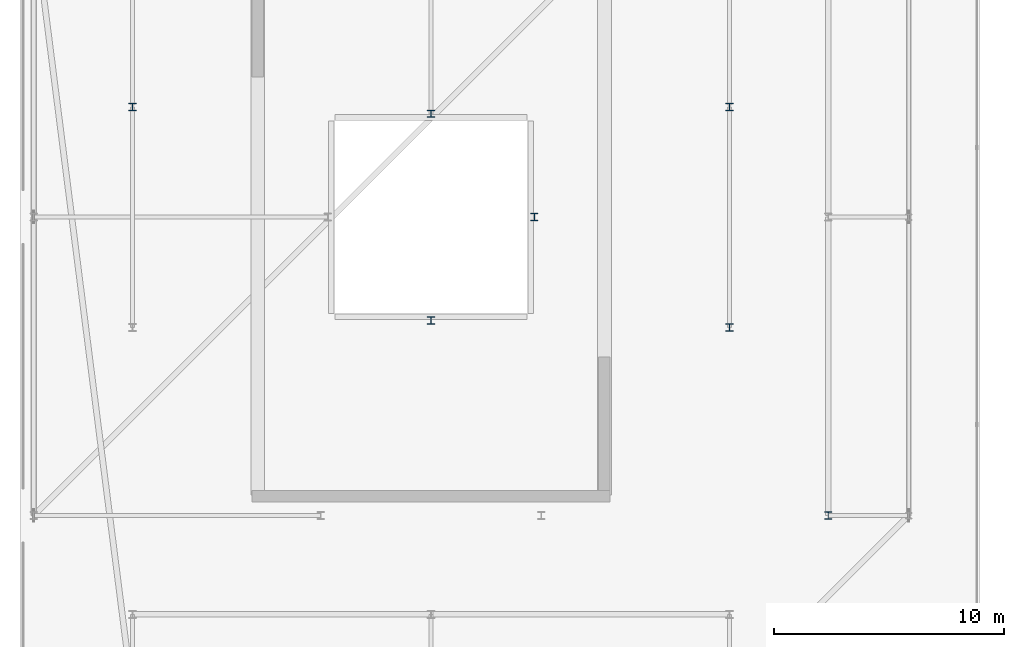
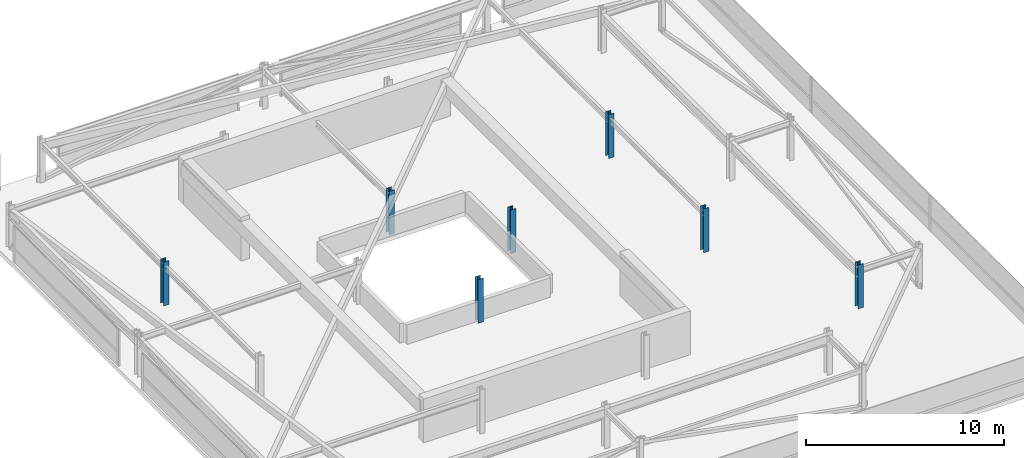
# One storey, part 2 of 44: 7 columns.
"""IFC4 building model written with IfcOpenShell, lengths in metres."""

import ifcopenshell
import ifcopenshell.guid

model = None  # the IFC model being written
_history = None  # IfcOwnerHistory: only IFC2X3 demands one
_inside = {}  # id of a spatial element -> (the spatial element, [elements in it])
_under = {}  # id of a project, library or spatial element -> (it, [spatial elements below it])
_declared = {}  # id of a project -> (the project, [libraries it declares])
_typed = {}  # id of a type object -> (the type object, [elements of that type])
_made_of = {}  # id of a material, layer set ... -> (it, [elements and type objects made of it])


def new_model(schema):
    """Start an empty IFC model of exactly this schema.

    Asked for "IFC4X3", IfcOpenShell would pick the latest addendum, in which some entities
    have other attributes; the version numbers below select the first issue.
    IFC2X3 requires an IfcOwnerHistory on every rooted entity: one is made here for all.
    """
    global model, _history
    if schema == "IFC4X3":
        model = ifcopenshell.file(schema_version=(4, 3, 0, 0))
    else:
        model = ifcopenshell.file(schema=schema)
    _inside.clear()
    _under.clear()
    _declared.clear()
    _typed.clear()
    _made_of.clear()
    _history = None
    if model.schema == "IFC2X3":
        org = make("IfcOrganization", Name="unknown")
        user = make(
            "IfcPersonAndOrganization",
            ThePerson=make("IfcPerson", FamilyName="unknown"),
            TheOrganization=org,
        )
        app = make(
            "IfcApplication",
            ApplicationDeveloper=org,
            Version="unknown",
            ApplicationFullName="unknown",
            ApplicationIdentifier="unknown",
        )
        _history = make(
            "IfcOwnerHistory",
            OwningUser=user,
            OwningApplication=app,
            ChangeAction="ADDED",
            CreationDate=0,
        )
    return model


def make(cls, **values):
    """One entity of the class cls with the attributes given. An attribute that is None is left unset."""
    return model.create_entity(
        cls, **{name: value for name, value in values.items() if value is not None}
    )


def rooted(cls, **values):
    """An entity with a GlobalId (a new one), such as an element, a storey or a relation."""
    return make(cls, GlobalId=ifcopenshell.guid.new(), OwnerHistory=_history, **values)


def si_unit(unit_type, name, prefix=None):
    """IfcSIUnit, for example si_unit("LENGTHUNIT", "METRE", prefix="MILLI")."""
    return make("IfcSIUnit", UnitType=unit_type, Prefix=prefix, Name=name)


def assignment(units):
    """IfcUnitAssignment: the units of a project."""
    return None if units is None else make("IfcUnitAssignment", Units=units)


def point(xyz):
    """IfcCartesianPoint."""
    return None if xyz is None else make("IfcCartesianPoint", Coordinates=xyz)


def direction(xyz):
    """IfcDirection."""
    return None if xyz is None else make("IfcDirection", DirectionRatios=xyz)


def frame(location, z_axis=None, x_axis=None):
    """IfcAxis2Placement3D, a coordinate frame: its origin and axes. An axis left out is left unset."""
    return make(
        "IfcAxis2Placement3D",
        Location=point(location),
        Axis=direction(z_axis),
        RefDirection=direction(x_axis),
    )


def frame_2d(location, x_axis=None):
    """IfcAxis2Placement2D, a coordinate frame in the plane: its origin and x axis."""
    return make(
        "IfcAxis2Placement2D", Location=point(location), RefDirection=direction(x_axis)
    )


def origin():
    """The frame at (0, 0, 0) with its axes left unset."""
    return frame((0.0, 0.0, 0.0))


def origin_2d():
    """The frame at (0, 0) in the plane with its x axis left unset."""
    return frame_2d((0.0, 0.0))


def place(relative_to, where):
    """IfcLocalPlacement: puts the frame where relative to a parent placement (None: the world)."""
    return make(
        "IfcLocalPlacement", PlacementRelTo=relative_to, RelativePlacement=where
    )


def context(
    kind, dimensions, precision=None, world=None, true_north=None, identifier=None
):
    """IfcGeometricRepresentationContext, for example the 3D "Model" context."""
    return make(
        "IfcGeometricRepresentationContext",
        ContextIdentifier=identifier,
        ContextType=kind,
        CoordinateSpaceDimension=dimensions,
        Precision=precision,
        WorldCoordinateSystem=world,
        TrueNorth=true_north,
    )


def subcontext(parent, identifier, kind, view, scale=None):
    """IfcGeometricRepresentationSubContext, for example "Body" below "Model"."""
    return make(
        "IfcGeometricRepresentationSubContext",
        ContextIdentifier=identifier,
        ContextType=kind,
        ParentContext=parent,
        TargetScale=scale,
        TargetView=view,
    )


def project(units=None, contexts=None):
    """IfcProject with its units and contexts."""
    return rooted(
        "IfcProject",
        Name="project",
        RepresentationContexts=contexts,
        UnitsInContext=assignment(units),
    )


def spatial(cls, under=None, at=None, **own):
    """A site, building, storey or space (cls), placed at a placement, below another one or the project."""
    s = rooted(cls, ObjectPlacement=at, **own)
    if under is not None:
        _under.setdefault(under.id(), (under, []))[1].append(s)
    return s


def profile(cls, at=None, kind="AREA", **sizes):
    """A parametric profile (cls). Its sizes go by their IFC names, for example OverallWidth=200.0."""
    return make(cls, ProfileType=kind, Position=at, **sizes)


def i_section(**sizes):
    """IfcIShapeProfileDef."""
    return profile("IfcIShapeProfileDef", **sizes)


def extrude(swept, where, along, depth):
    """IfcExtrudedAreaSolid: the profile swept, set in the frame where, extruded along a direction by depth."""
    return make(
        "IfcExtrudedAreaSolid",
        SweptArea=swept,
        Position=where,
        ExtrudedDirection=direction(along),
        Depth=depth,
    )


def shape(context_of_items, identifier, shape_type, items):
    """IfcShapeRepresentation: the items that make up one representation, for example the "Body"."""
    return make(
        "IfcShapeRepresentation",
        ContextOfItems=context_of_items,
        RepresentationIdentifier=identifier,
        RepresentationType=shape_type,
        Items=items,
    )


def material(Name=None, Category=None):
    """IfcMaterial."""
    return make("IfcMaterial", Name=Name, Category=Category)


def material_profile(
    of_material, cross_section, Name=None, Category=None, Priority=None
):
    """IfcMaterialProfile: a cross section and its material."""
    return make(
        "IfcMaterialProfile",
        Name=Name,
        Material=of_material,
        Profile=cross_section,
        Priority=Priority,
        Category=Category,
    )


def profile_set(profiles, Name=None, composite=None):
    """IfcMaterialProfileSet."""
    return make(
        "IfcMaterialProfileSet",
        Name=Name,
        MaterialProfiles=profiles,
        CompositeProfile=composite,
    )


def made_of(thing, what):
    """Note that an element or type object is made of a material, layer set ...; save() writes the relation."""
    if what is not None:
        _made_of.setdefault(what.id(), (what, []))[1].append(thing)
    return thing


def type_object(cls, material=None, **own):
    """A type object (cls), such as IfcWallType, which elements share."""
    return made_of(rooted(cls, **own), material)


def element(
    cls,
    number,
    at=None,
    inside=None,
    cuts=None,
    type_object=None,
    material=None,
    context=None,
    identifier="Body",
    shape_type=None,
    held_by="IfcProductDefinitionShape",
    body=None,
    shapes=None,
    **own,
):
    """One element of the class cls, such as IfcWall. Its Tag is "e" and its number.

    at: its placement. inside: the storey or other place that contains it. cuts: it is an
    opening in that element (IfcRelVoidsElement). A single representation is given by context,
    identifier, shape_type and body (its items); several are given by shapes. held_by: the class
    of the entity that holds the representations. save() writes the other relations.
    """
    e = rooted(cls, Tag="e%d" % number, ObjectPlacement=at, **own)
    if body is not None:
        shapes = [shape(context, identifier, shape_type, body)]
    if shapes is not None:
        e.Representation = make(held_by, Representations=shapes)
    if inside is not None:
        _inside.setdefault(inside.id(), (inside, []))[1].append(e)
    if cuts is not None:
        rooted(
            "IfcRelVoidsElement", RelatingBuildingElement=cuts, RelatedOpeningElement=e
        )
    if type_object is not None:
        _typed.setdefault(type_object.id(), (type_object, []))[1].append(e)
    return made_of(e, material)


def aggregate(whole, parts):
    """IfcRelAggregates: a whole, such as a stair, and the parts it consists of."""
    return rooted("IfcRelAggregates", RelatingObject=whole, RelatedObjects=parts)


def save(model, path):
    """Write the relations noted so far, then the file.

    IfcRelAggregates (storeys below a building ...), IfcRelContainedInSpatialStructure (elements
    in a storey), IfcRelDefinesByType, IfcRelAssociatesMaterial and IfcRelDeclares: one each for
    every whole, place, type object, material and project.
    """
    for whole, parts in _under.values():
        aggregate(whole, parts)
    for where, things in _inside.values():
        rooted(
            "IfcRelContainedInSpatialStructure",
            RelatedElements=things,
            RelatingStructure=where,
        )
    for kind, things in _typed.values():
        rooted("IfcRelDefinesByType", RelatedObjects=things, RelatingType=kind)
    for what, things in _made_of.values():
        rooted("IfcRelAssociatesMaterial", RelatedObjects=things, RelatingMaterial=what)
    for by, libraries in _declared.values():
        rooted("IfcRelDeclares", RelatingContext=by, RelatedDefinitions=libraries)
    model.write(path)


model = new_model("IFC4")

# Units and contexts
model_context = context("Model", 3, precision=1e-05, world=origin(), true_north=direction((0.0, 1.0)))
body_context = subcontext(model_context, "Body", "Model", "MODEL_VIEW")
ifc_project = project(units=[si_unit("LENGTHUNIT", "METRE"), si_unit("AREAUNIT", "SQUARE_METRE"), si_unit("VOLUMEUNIT", "CUBIC_METRE"), si_unit("PLANEANGLEUNIT", "RADIAN"), si_unit("MASSUNIT", "GRAM", prefix="KILO")], contexts=[model_context])

# Site, building, storey
site_placement = place(None, origin())
site = spatial("IfcSite", under=ifc_project, at=site_placement, CompositionType="ELEMENT")
building_placement = place(site_placement, origin())
building = spatial("IfcBuilding", under=site, at=building_placement, Name="Thornwick Lancets Civic Towers", CompositionType="ELEMENT")
storey_placement = place(building_placement, frame((0.0, 0.0, 292.199951171875)))
storey = spatial("IfcBuildingStorey", under=building, at=storey_placement, Name="C05", CompositionType="ELEMENT", Elevation=292.199951171875)

# Columns
ifc_material = material(Name="Steel S355JR", Category="steel")
ifc_material_profile = material_profile(ifc_material, i_section(OverallWidth=0.30908203125, OverallDepth=0.320556640625, WebThickness=0.013916015625, FlangeThickness=0.021728515625, FilletRadius=0.01513671875, at=origin_2d()), Name="UKC 305x305x137")
ifc_profile_set = profile_set([ifc_material_profile], Name="Steel S355JR")
column_type = type_object("IfcColumnType", Name="COL_UKC_137", PredefinedType="COLUMN", material=ifc_profile_set)
for number, where, z_axis, x_axis, name in (
    (1, (42.800048828125, 14.0, 0.0), (0.0, 0.0, 1.0), (1.0, 0.0, 0.0), "C05 Spine Mega-Column A04"),
    (2, (38.5, 22.199951171875, 0.0), (0.0, 0.0, 1.0), (1.0, 0.0, 0.0), "C05 Spine Mega-Column A14"),
    (3, (12.5, 31.800048828125, 0.0), (0.0, 0.0, 1.0), (1.0, 0.0, 0.0), "C05 Spine Mega-Column A15"),
    (4, (38.5, 31.800048828125, 0.0), (0.0, 0.0, 1.0), (1.0, 0.0, 0.0), "C05 Spine Mega-Column A16"),
    (5, (25.5, 22.5, 0.0), (0.0, 0.0, 1.0), (1.0, 0.0, 0.0), "C05 Spine Mega-Column A21"),
    (6, (25.5, 31.5, 0.0), (0.0, 0.0, 1.0), (1.0, 0.0, 0.0), "C05 Spine Mega-Column A22"),
    (7, (30.0, 27.0, 0.0), (0.0, 0.0, 1.0), (1.0, 0.0, 0.0), "C05 Spine Mega-Column A24"),
):
    element("IfcColumn", number, at=place(storey_placement, frame(where, z_axis=z_axis, x_axis=x_axis)), inside=storey, type_object=column_type, Name=name, PredefinedType="COLUMN", context=body_context, shape_type="SweptSolid", body=[
        extrude(i_section(OverallWidth=0.30908203125, OverallDepth=0.320556640625, WebThickness=0.013916015625, FlangeThickness=0.021728515625, FilletRadius=0.01513671875, at=origin_2d()), origin(), (0.0, 0.0, 1.0), 2.699951171875),
    ])

save(model, "model.ifc")
